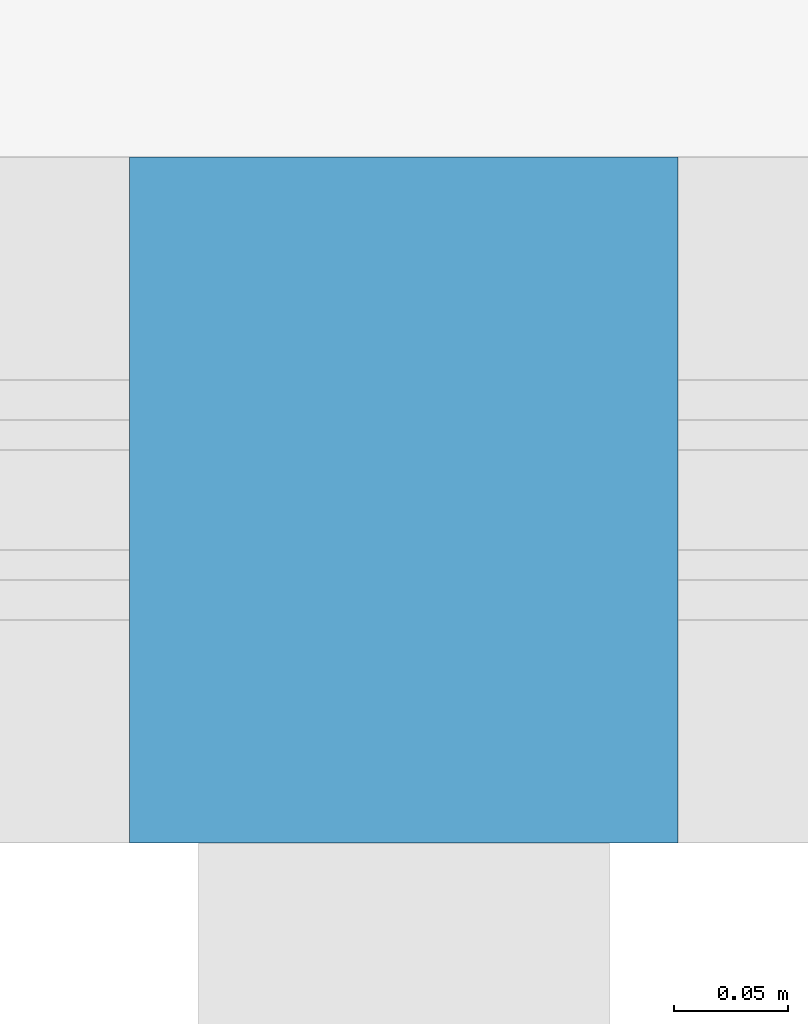
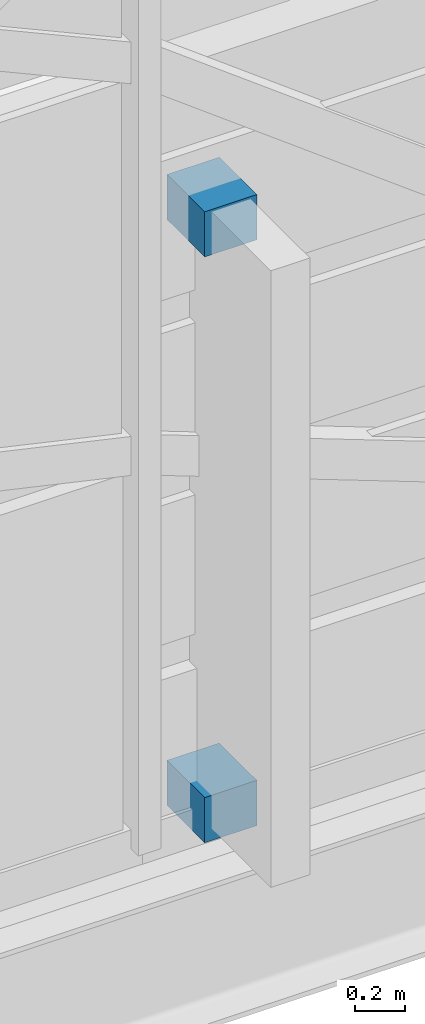
# One storey, part 106 of 116: 2 discrete accessories.
"""IFC4 building model written with IfcOpenShell, lengths in metres."""

from ifc_helpers import new_model, si_unit, direction, frame, origin, origin_2d, place, context, subcontext, project, spatial, rectangle, extrude, material, type_object, element, save


model = new_model("IFC4")

# Units and contexts
model_context = context("Model", 3, precision=1e-05, world=origin(), true_north=direction((0.0, 1.0)))
body_context = subcontext(model_context, "Body", "Model", "MODEL_VIEW")
ifc_project = project(units=[si_unit("LENGTHUNIT", "METRE"), si_unit("AREAUNIT", "SQUARE_METRE"), si_unit("VOLUMEUNIT", "CUBIC_METRE"), si_unit("PLANEANGLEUNIT", "RADIAN"), si_unit("MASSUNIT", "GRAM", prefix="KILO")], contexts=[model_context])

# Site, building, storey
site_placement = place(None, origin())
site = spatial("IfcSite", under=ifc_project, at=site_placement, CompositionType="ELEMENT")
building_placement = place(site_placement, origin())
building = spatial("IfcBuilding", under=site, at=building_placement, Name="Chuanluo Vaults Station", CompositionType="ELEMENT")
storey_placement = place(building_placement, frame((0.0, 0.0, 10.800048828125)))
storey = spatial("IfcBuildingStorey", under=building, at=storey_placement, Name="L02", CompositionType="ELEMENT", Elevation=10.800048828125)

# Discrete accessories
ifc_material = material(Name="Steel Q355C", Category="steel")
discrete_accessory_type = type_object("IfcDiscreteAccessoryType", Name="ACC-BRK-FIN", PredefinedType="BRACKET", material=ifc_material)
for number, where, z_axis, x_axis, name in (
    (1, (87.0, 18.0, -0.01025390625), (0.0, 0.0, 1.0), (1.0, 0.0, 0.0), "Brise-soleil steel bracket 12B"),
    (2, (87.0, 18.0, 2.83984375), (0.0, 0.0, 1.0), (1.0, 0.0, 0.0), "Brise-soleil steel bracket 12T"),
):
    element("IfcDiscreteAccessory", number, at=place(storey_placement, frame(where, z_axis=z_axis, x_axis=x_axis)), inside=storey, type_object=discrete_accessory_type, Name=name, PredefinedType="BRACKET", context=body_context, shape_type="SweptSolid", body=[
        extrude(rectangle(XDim=0.239990234375, YDim=0.300048828125, at=origin_2d()), origin(), (0.0, 0.0, 1.0), 0.219970703125),
    ])

save(model, "model.ifc")
